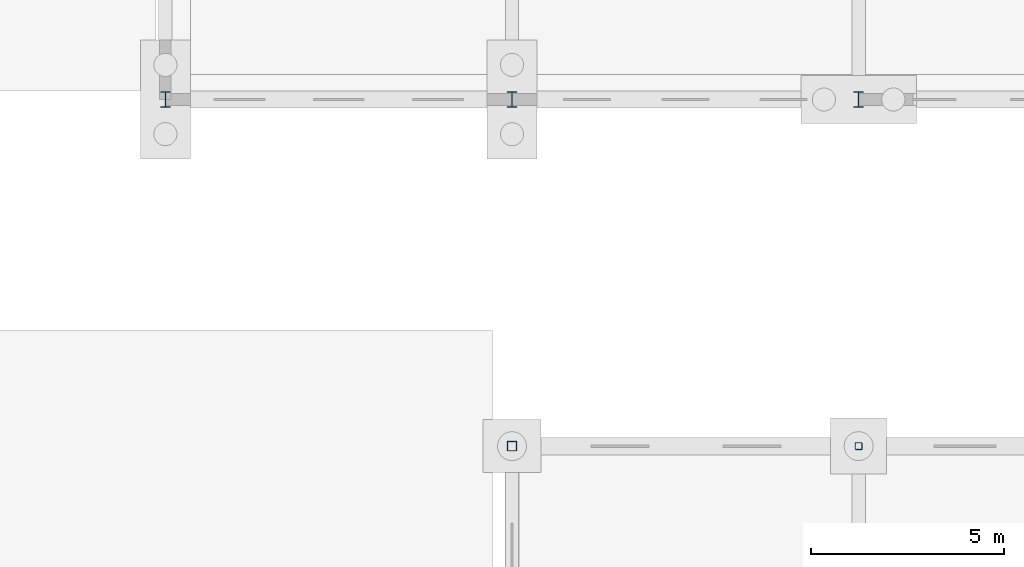
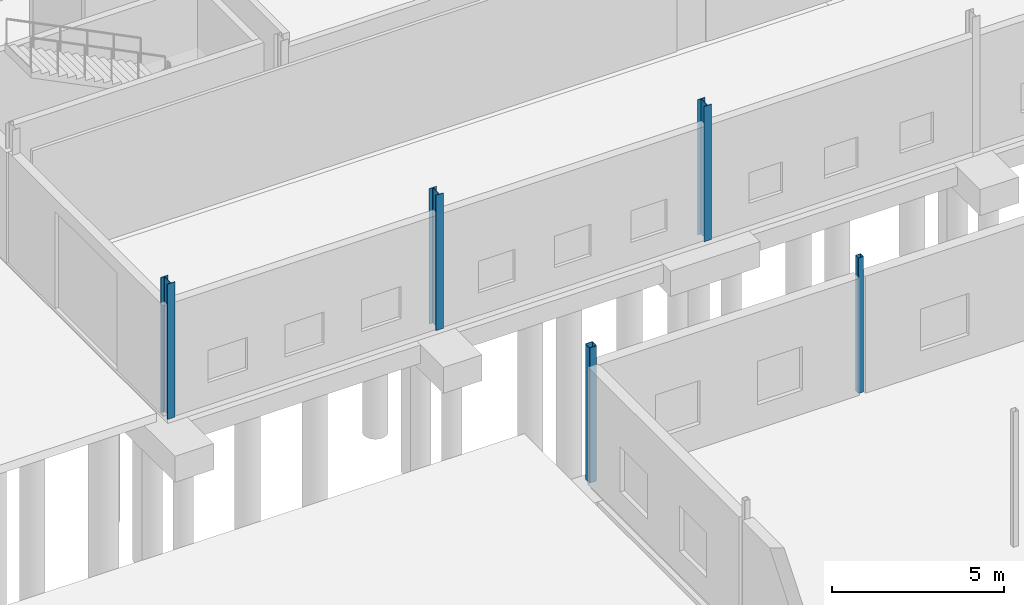
# One storey, part 37 of 112: 5 columns.
"""IFC4 building model written with IfcOpenShell, lengths in metres."""

import ifcopenshell
import ifcopenshell.guid

model = None  # the IFC model being written
_history = None  # IfcOwnerHistory: only IFC2X3 demands one
_inside = {}  # id of a spatial element -> (the spatial element, [elements in it])
_under = {}  # id of a project, library or spatial element -> (it, [spatial elements below it])
_declared = {}  # id of a project -> (the project, [libraries it declares])
_typed = {}  # id of a type object -> (the type object, [elements of that type])
_made_of = {}  # id of a material, layer set ... -> (it, [elements and type objects made of it])


def new_model(schema):
    """Start an empty IFC model of exactly this schema.

    Asked for "IFC4X3", IfcOpenShell would pick the latest addendum, in which some entities
    have other attributes; the version numbers below select the first issue.
    IFC2X3 requires an IfcOwnerHistory on every rooted entity: one is made here for all.
    """
    global model, _history
    if schema == "IFC4X3":
        model = ifcopenshell.file(schema_version=(4, 3, 0, 0))
    else:
        model = ifcopenshell.file(schema=schema)
    _inside.clear()
    _under.clear()
    _declared.clear()
    _typed.clear()
    _made_of.clear()
    _history = None
    if model.schema == "IFC2X3":
        org = make("IfcOrganization", Name="unknown")
        user = make(
            "IfcPersonAndOrganization",
            ThePerson=make("IfcPerson", FamilyName="unknown"),
            TheOrganization=org,
        )
        app = make(
            "IfcApplication",
            ApplicationDeveloper=org,
            Version="unknown",
            ApplicationFullName="unknown",
            ApplicationIdentifier="unknown",
        )
        _history = make(
            "IfcOwnerHistory",
            OwningUser=user,
            OwningApplication=app,
            ChangeAction="ADDED",
            CreationDate=0,
        )
    return model


def make(cls, **values):
    """One entity of the class cls with the attributes given. An attribute that is None is left unset."""
    return model.create_entity(
        cls, **{name: value for name, value in values.items() if value is not None}
    )


def rooted(cls, **values):
    """An entity with a GlobalId (a new one), such as an element, a storey or a relation."""
    return make(cls, GlobalId=ifcopenshell.guid.new(), OwnerHistory=_history, **values)


def si_unit(unit_type, name, prefix=None):
    """IfcSIUnit, for example si_unit("LENGTHUNIT", "METRE", prefix="MILLI")."""
    return make("IfcSIUnit", UnitType=unit_type, Prefix=prefix, Name=name)


def assignment(units):
    """IfcUnitAssignment: the units of a project."""
    return None if units is None else make("IfcUnitAssignment", Units=units)


def point(xyz):
    """IfcCartesianPoint."""
    return None if xyz is None else make("IfcCartesianPoint", Coordinates=xyz)


def direction(xyz):
    """IfcDirection."""
    return None if xyz is None else make("IfcDirection", DirectionRatios=xyz)


def frame(location, z_axis=None, x_axis=None):
    """IfcAxis2Placement3D, a coordinate frame: its origin and axes. An axis left out is left unset."""
    return make(
        "IfcAxis2Placement3D",
        Location=point(location),
        Axis=direction(z_axis),
        RefDirection=direction(x_axis),
    )


def frame_2d(location, x_axis=None):
    """IfcAxis2Placement2D, a coordinate frame in the plane: its origin and x axis."""
    return make(
        "IfcAxis2Placement2D", Location=point(location), RefDirection=direction(x_axis)
    )


def origin():
    """The frame at (0, 0, 0) with its axes left unset."""
    return frame((0.0, 0.0, 0.0))


def origin_2d():
    """The frame at (0, 0) in the plane with its x axis left unset."""
    return frame_2d((0.0, 0.0))


def place(relative_to, where):
    """IfcLocalPlacement: puts the frame where relative to a parent placement (None: the world)."""
    return make(
        "IfcLocalPlacement", PlacementRelTo=relative_to, RelativePlacement=where
    )


def context(
    kind, dimensions, precision=None, world=None, true_north=None, identifier=None
):
    """IfcGeometricRepresentationContext, for example the 3D "Model" context."""
    return make(
        "IfcGeometricRepresentationContext",
        ContextIdentifier=identifier,
        ContextType=kind,
        CoordinateSpaceDimension=dimensions,
        Precision=precision,
        WorldCoordinateSystem=world,
        TrueNorth=true_north,
    )


def subcontext(parent, identifier, kind, view, scale=None):
    """IfcGeometricRepresentationSubContext, for example "Body" below "Model"."""
    return make(
        "IfcGeometricRepresentationSubContext",
        ContextIdentifier=identifier,
        ContextType=kind,
        ParentContext=parent,
        TargetScale=scale,
        TargetView=view,
    )


def project(units=None, contexts=None):
    """IfcProject with its units and contexts."""
    return rooted(
        "IfcProject",
        Name="project",
        RepresentationContexts=contexts,
        UnitsInContext=assignment(units),
    )


def spatial(cls, under=None, at=None, **own):
    """A site, building, storey or space (cls), placed at a placement, below another one or the project."""
    s = rooted(cls, ObjectPlacement=at, **own)
    if under is not None:
        _under.setdefault(under.id(), (under, []))[1].append(s)
    return s


def profile(cls, at=None, kind="AREA", **sizes):
    """A parametric profile (cls). Its sizes go by their IFC names, for example OverallWidth=200.0."""
    return make(cls, ProfileType=kind, Position=at, **sizes)


def hollow_rectangle(**sizes):
    """IfcRectangleHollowProfileDef."""
    return profile("IfcRectangleHollowProfileDef", **sizes)


def i_section(**sizes):
    """IfcIShapeProfileDef."""
    return profile("IfcIShapeProfileDef", **sizes)


def extrude(swept, where, along, depth):
    """IfcExtrudedAreaSolid: the profile swept, set in the frame where, extruded along a direction by depth."""
    return make(
        "IfcExtrudedAreaSolid",
        SweptArea=swept,
        Position=where,
        ExtrudedDirection=direction(along),
        Depth=depth,
    )


def shape(context_of_items, identifier, shape_type, items):
    """IfcShapeRepresentation: the items that make up one representation, for example the "Body"."""
    return make(
        "IfcShapeRepresentation",
        ContextOfItems=context_of_items,
        RepresentationIdentifier=identifier,
        RepresentationType=shape_type,
        Items=items,
    )


def material(Name=None, Category=None):
    """IfcMaterial."""
    return make("IfcMaterial", Name=Name, Category=Category)


def material_profile(
    of_material, cross_section, Name=None, Category=None, Priority=None
):
    """IfcMaterialProfile: a cross section and its material."""
    return make(
        "IfcMaterialProfile",
        Name=Name,
        Material=of_material,
        Profile=cross_section,
        Priority=Priority,
        Category=Category,
    )


def profile_set(profiles, Name=None, composite=None):
    """IfcMaterialProfileSet."""
    return make(
        "IfcMaterialProfileSet",
        Name=Name,
        MaterialProfiles=profiles,
        CompositeProfile=composite,
    )


def made_of(thing, what):
    """Note that an element or type object is made of a material, layer set ...; save() writes the relation."""
    if what is not None:
        _made_of.setdefault(what.id(), (what, []))[1].append(thing)
    return thing


def type_object(cls, material=None, **own):
    """A type object (cls), such as IfcWallType, which elements share."""
    return made_of(rooted(cls, **own), material)


def element(
    cls,
    number,
    at=None,
    inside=None,
    cuts=None,
    type_object=None,
    material=None,
    context=None,
    identifier="Body",
    shape_type=None,
    held_by="IfcProductDefinitionShape",
    body=None,
    shapes=None,
    **own,
):
    """One element of the class cls, such as IfcWall. Its Tag is "e" and its number.

    at: its placement. inside: the storey or other place that contains it. cuts: it is an
    opening in that element (IfcRelVoidsElement). A single representation is given by context,
    identifier, shape_type and body (its items); several are given by shapes. held_by: the class
    of the entity that holds the representations. save() writes the other relations.
    """
    e = rooted(cls, Tag="e%d" % number, ObjectPlacement=at, **own)
    if body is not None:
        shapes = [shape(context, identifier, shape_type, body)]
    if shapes is not None:
        e.Representation = make(held_by, Representations=shapes)
    if inside is not None:
        _inside.setdefault(inside.id(), (inside, []))[1].append(e)
    if cuts is not None:
        rooted(
            "IfcRelVoidsElement", RelatingBuildingElement=cuts, RelatedOpeningElement=e
        )
    if type_object is not None:
        _typed.setdefault(type_object.id(), (type_object, []))[1].append(e)
    return made_of(e, material)


def aggregate(whole, parts):
    """IfcRelAggregates: a whole, such as a stair, and the parts it consists of."""
    return rooted("IfcRelAggregates", RelatingObject=whole, RelatedObjects=parts)


def save(model, path):
    """Write the relations noted so far, then the file.

    IfcRelAggregates (storeys below a building ...), IfcRelContainedInSpatialStructure (elements
    in a storey), IfcRelDefinesByType, IfcRelAssociatesMaterial and IfcRelDeclares: one each for
    every whole, place, type object, material and project.
    """
    for whole, parts in _under.values():
        aggregate(whole, parts)
    for where, things in _inside.values():
        rooted(
            "IfcRelContainedInSpatialStructure",
            RelatedElements=things,
            RelatingStructure=where,
        )
    for kind, things in _typed.values():
        rooted("IfcRelDefinesByType", RelatedObjects=things, RelatingType=kind)
    for what, things in _made_of.values():
        rooted("IfcRelAssociatesMaterial", RelatedObjects=things, RelatingMaterial=what)
    for by, libraries in _declared.values():
        rooted("IfcRelDeclares", RelatingContext=by, RelatedDefinitions=libraries)
    model.write(path)


model = new_model("IFC4")

# Units and contexts
model_context = context("Model", 3, precision=1e-05, world=origin(), true_north=direction((0.0, 1.0)))
body_context = subcontext(model_context, "Body", "Model", "MODEL_VIEW")
ifc_project = project(units=[si_unit("LENGTHUNIT", "METRE"), si_unit("AREAUNIT", "SQUARE_METRE"), si_unit("VOLUMEUNIT", "CUBIC_METRE"), si_unit("PLANEANGLEUNIT", "RADIAN"), si_unit("MASSUNIT", "GRAM", prefix="KILO")], contexts=[model_context])

# Site, building, storey
site_placement = place(None, origin())
site = spatial("IfcSite", under=ifc_project, at=site_placement, CompositionType="ELEMENT")
building_placement = place(site_placement, origin())
building = spatial("IfcBuilding", under=site, at=building_placement, Name="Tharagai Park Tramway Depot", CompositionType="ELEMENT")
storey_placement = place(building_placement, origin())
storey = spatial("IfcBuildingStorey", under=building, at=storey_placement, Name="L00", CompositionType="ELEMENT", Elevation=0.0)

# Columns
ifc_material = material(Name="Steel E350", Category="steel")
ifc_material_profile_1 = material_profile(ifc_material, hollow_rectangle(XDim=0.179931640625, YDim=0.179931640625, WallThickness=0.008056640625, InnerFilletRadius=0.008056640625, OuterFilletRadius=0.01611328125, at=origin_2d()), Name="SHS 180x180x8")
ifc_profile_set_1 = profile_set([ifc_material_profile_1], Name="Steel E350")
column_type_1 = type_object("IfcColumnType", Name="CL-04", PredefinedType="COLUMN", material=ifc_profile_set_1)
column_1_placement = place(storey_placement, frame((180.0, 81.0, 0.0), z_axis=(0.0, 0.0, 1.0), x_axis=(1.0, 0.0, 0.0)))
element("IfcColumn", 1, at=column_1_placement, inside=storey, type_object=column_type_1, Name="L00 Structural Column CL-04 (180,81)", PredefinedType="COLUMN", context=body_context, shape_type="SweptSolid", body=[
    extrude(hollow_rectangle(XDim=0.179931640625, YDim=0.179931640625, WallThickness=0.008056640625, InnerFilletRadius=0.008056640625, OuterFilletRadius=0.01611328125, at=origin_2d()), origin(), (0.0, 0.0, 1.0), 4.800048828125),
])
ifc_material_profile_2 = material_profile(ifc_material, i_section(OverallWidth=0.25, OverallDepth=0.39990234375, WebThickness=0.010498046875, FlangeThickness=0.0126953125, FilletRadius=0.013916015625, at=origin_2d()), Name="ISHB 400")
ifc_profile_set_2 = profile_set([ifc_material_profile_2], Name="Steel E350")
column_type_2 = type_object("IfcColumnType", Name="CL-06", PredefinedType="COLUMN", material=ifc_profile_set_2)
for number, where, z_axis, x_axis, name in (
    (2, (162.0, 90.0, 0.0), (0.0, 0.0, 1.0), (1.0, 0.0, 0.0), "L00 Structural Column CL-06 (162,90)"),
    (3, (171.0, 90.0, 0.0), (0.0, 0.0, 1.0), (1.0, 0.0, 0.0), "L00 Structural Column CL-06 (171,90)"),
    (4, (180.0, 90.0, 0.0), (0.0, 0.0, 1.0), (1.0, 0.0, 0.0), "L00 Structural Column CL-06 (180,90)"),
):
    element("IfcColumn", number, at=place(storey_placement, frame(where, z_axis=z_axis, x_axis=x_axis)), inside=storey, type_object=column_type_2, Name=name, PredefinedType="COLUMN", context=body_context, shape_type="SweptSolid", body=[
        extrude(i_section(OverallWidth=0.25, OverallDepth=0.39990234375, WebThickness=0.010498046875, FlangeThickness=0.0126953125, FilletRadius=0.013916015625, at=origin_2d()), origin(), (0.0, 0.0, 1.0), 4.800048828125),
    ])
ifc_material_profile_3 = material_profile(ifc_material, hollow_rectangle(XDim=0.25, YDim=0.25, WallThickness=0.010009765625, InnerFilletRadius=0.010009765625, OuterFilletRadius=0.02001953125, at=origin_2d()), Name="SHS 250x250x10")
ifc_profile_set_3 = profile_set([ifc_material_profile_3], Name="Steel E350")
column_type_3 = type_object("IfcColumnType", Name="CL-14", PredefinedType="COLUMN", material=ifc_profile_set_3)
column_2_placement = place(storey_placement, frame((171.0, 81.0, 0.0), z_axis=(0.0, 0.0, 1.0), x_axis=(1.0, 0.0, 0.0)))
element("IfcColumn", 5, at=column_2_placement, inside=storey, type_object=column_type_3, Name="L00 Structural Column CL-14 (171,81)", PredefinedType="COLUMN", context=body_context, shape_type="SweptSolid", body=[
    extrude(hollow_rectangle(XDim=0.25, YDim=0.25, WallThickness=0.010009765625, InnerFilletRadius=0.010009765625, OuterFilletRadius=0.02001953125, at=origin_2d()), origin(), (0.0, 0.0, 1.0), 4.800048828125),
])

save(model, "model.ifc")
